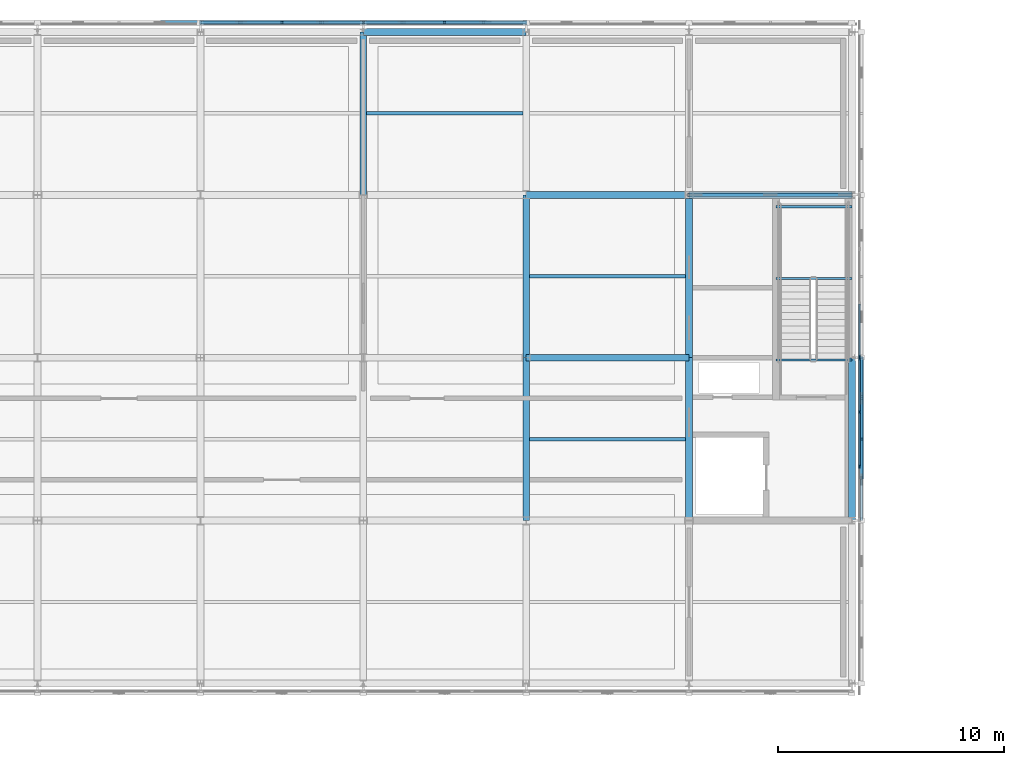
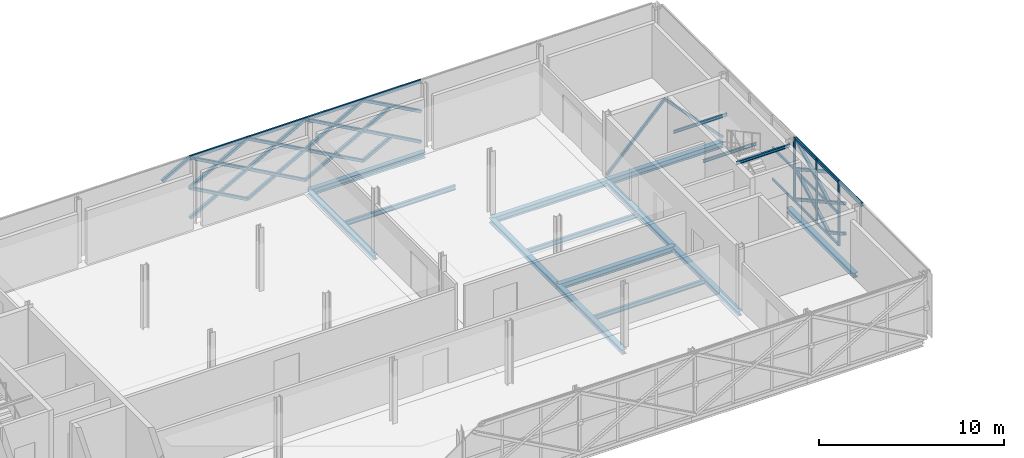
# One storey, part 56 of 103: 48 members, 16 beams, 2 elements without a shape of their own.
"""IFC4 building model written with IfcOpenShell, lengths in metres."""

from ifc_helpers import new_model, si_unit, direction, frame, origin, origin_2d, place, context, subcontext, project, spatial, rectangle, hollow_rectangle, i_section, extrude, material, material_profile, profile_set, type_object, element, aggregate, save


model = new_model("IFC4")

# Units and contexts
model_context = context("Model", 3, precision=1e-05, world=origin(), true_north=direction((0.0, 1.0)))
body_context = subcontext(model_context, "Body", "Model", "MODEL_VIEW")
ifc_project = project(units=[si_unit("LENGTHUNIT", "METRE"), si_unit("AREAUNIT", "SQUARE_METRE"), si_unit("VOLUMEUNIT", "CUBIC_METRE"), si_unit("PLANEANGLEUNIT", "RADIAN"), si_unit("MASSUNIT", "GRAM", prefix="KILO")], contexts=[model_context])

# Site, building, storey
site_placement = place(None, origin())
site = spatial("IfcSite", under=ifc_project, at=site_placement, CompositionType="ELEMENT")
building_placement = place(site_placement, origin())
building = spatial("IfcBuilding", under=site, at=building_placement, Name="Zlatovets Crest Museum", CompositionType="ELEMENT")
storey_placement = place(building_placement, frame((0.0, 0.0, 12.89990234375)))
storey = spatial("IfcBuildingStorey", under=building, at=storey_placement, Name="L03", CompositionType="ELEMENT", Elevation=12.89990234375)

# Beams
ifc_material_1 = material(Name="Structural steel S355J2", Category="steel")
ifc_material_profile_1 = material_profile(ifc_material_1, i_section(OverallWidth=0.300048828125, OverallDepth=0.389892578125, WebThickness=0.010986328125, FlangeThickness=0.01904296875, FilletRadius=0.027099609375, at=origin_2d()), Name="HEA 400")
ifc_profile_set_1 = profile_set([ifc_material_profile_1], Name="Structural steel S355J2")
beam_type_1 = type_object("IfcBeamType", Name="Beam_B-02", PredefinedType="BEAM", material=ifc_profile_set_1)
for number, where, z_axis, x_axis, name in (
    (1, (93.60009765625, 100.800048828125, -0.434814453125), (1.0, 0.0, 0.0), (0.0, 1.0, 0.0), "V1 L03 Primary Girder B-02"),
    (2, (93.60009765625, 108.0, -0.434814453125), (1.0, 0.0, 0.0), (0.0, 1.0, 0.0), "V1 L03 Primary Girder B-02"),
    (3, (100.800048828125, 108.0, -0.434814453125), (1.0, 0.0, 0.0), (0.0, 1.0, 0.0), "V1 L03 Primary Girder B-02"),
):
    element("IfcBeam", number, at=place(storey_placement, frame(where, z_axis=z_axis, x_axis=x_axis)), inside=storey, type_object=beam_type_1, Name=name, PredefinedType="BEAM", context=body_context, shape_type="SweptSolid", body=[
        extrude(i_section(OverallWidth=0.300048828125, OverallDepth=0.389892578125, WebThickness=0.010986328125, FlangeThickness=0.01904296875, FilletRadius=0.027099609375, at=origin_2d()), origin(), (0.0, 0.0, 1.0), 7.199951171875),
    ])
beam_placement = place(storey_placement, frame((86.39990234375, 115.199951171875, -0.434814453125), z_axis=(1.0, 0.0, 0.0), x_axis=(0.0, 1.0, 0.0)))
element("IfcBeam", 4, at=beam_placement, inside=storey, type_object=beam_type_1, Name="V1 L03 Primary Girder B-02", PredefinedType="BEAM", context=body_context, shape_type="SweptSolid", body=[
    extrude(i_section(OverallWidth=0.300048828125, OverallDepth=0.389892578125, WebThickness=0.010986328125, FlangeThickness=0.01904296875, FilletRadius=0.027099609375, at=origin_2d()), origin(), (0.0, 0.0, 1.0), 7.2001953125),
])
ifc_material_profile_2 = material_profile(ifc_material_1, i_section(OverallWidth=0.300048828125, OverallDepth=0.31005859375, WebThickness=0.009033203125, FlangeThickness=0.015380859375, FilletRadius=0.027099609375, at=origin_2d()), Name="HEA 320")
ifc_profile_set_2 = profile_set([ifc_material_profile_2], Name="Structural steel S355J2")
beam_type_2 = type_object("IfcBeamType", Name="Beam_B-04", PredefinedType="BEAM", material=ifc_profile_set_2)
for number, where, z_axis, x_axis, name in (
    (5, (86.39990234375, 108.0, -0.39501953125), (0.0, 1.0, 0.0), (-1.0, 0.0, 0.0), "V1 L03 Grid Beam B-04"),
    (6, (93.60009765625, 93.60009765625, -0.39501953125), (0.0, 1.0, 0.0), (-1.0, 0.0, 0.0), "V1 L03 Grid Beam B-04"),
    (7, (93.60009765625, 100.800048828125, -0.39501953125), (0.0, 1.0, 0.0), (-1.0, 0.0, 0.0), "V1 L03 Grid Beam B-04"),
    (8, (100.800048828125, 93.60009765625, -0.39501953125), (0.0, 1.0, 0.0), (-1.0, 0.0, 0.0), "V1 L03 Grid Beam B-04"),
    (9, (100.800048828125, 100.800048828125, -0.39501953125), (0.0, 1.0, 0.0), (-1.0, 0.0, 0.0), "V1 L03 Grid Beam B-04"),
    (10, (108.0, 93.60009765625, -0.39501953125), (0.0, 1.0, 0.0), (-1.0, 0.0, 0.0), "V1 L03 Grid Beam B-04"),
):
    element("IfcBeam", number, at=place(storey_placement, frame(where, z_axis=z_axis, x_axis=x_axis)), inside=storey, type_object=beam_type_2, Name=name, PredefinedType="BEAM", context=body_context, shape_type="SweptSolid", body=[
        extrude(i_section(OverallWidth=0.300048828125, OverallDepth=0.31005859375, WebThickness=0.009033203125, FlangeThickness=0.015380859375, FilletRadius=0.027099609375, at=origin_2d()), origin(), (0.0, 0.0, 1.0), 7.199951171875),
    ])
ifc_material_profile_3 = material_profile(ifc_material_1, i_section(OverallWidth=0.14990234375, OverallDepth=0.300048828125, WebThickness=0.007080078125, FlangeThickness=0.0107421875, FilletRadius=0.014892578125, at=origin_2d()), Name="IPE 300")
ifc_profile_set_3 = profile_set([ifc_material_profile_3], Name="Structural steel S355J2")
beam_type_3 = type_object("IfcBeamType", Name="Beam_J-02", PredefinedType="JOIST", material=ifc_profile_set_3)
for number, where, z_axis, x_axis, name in (
    (11, (86.550048828125, 111.60009765625, -0.389892578125), (1.0, 0.0, 0.0), (0.0, 1.0, 0.0), "V1 L03 Composite Joist J-02"),
    (12, (93.75, 97.199951171875, -0.389892578125), (1.0, 0.0, 0.0), (0.0, 1.0, 0.0), "V1 L03 Composite Joist J-02"),
    (13, (93.75, 104.39990234375, -0.389892578125), (1.0, 0.0, 0.0), (0.0, 1.0, 0.0), "V1 L03 Composite Joist J-02"),
):
    element("IfcBeam", number, at=place(storey_placement, frame(where, z_axis=z_axis, x_axis=x_axis)), inside=storey, type_object=beam_type_3, Name=name, PredefinedType="JOIST", context=body_context, shape_type="SweptSolid", body=[
        extrude(i_section(OverallWidth=0.14990234375, OverallDepth=0.300048828125, WebThickness=0.007080078125, FlangeThickness=0.0107421875, FilletRadius=0.014892578125, at=origin_2d()), origin(), (0.0, 0.0, 1.0), 6.89990234375),
    ])
ifc_material_profile_4 = material_profile(ifc_material_1, i_section(OverallWidth=0.10009765625, OverallDepth=0.199951171875, WebThickness=0.005615234375, FlangeThickness=0.008544921875, FilletRadius=0.011962890625, at=origin_2d()), Name="IPE 200")
ifc_profile_set_4 = profile_set([ifc_material_profile_4], Name="Structural steel S355J2")
beam_type_4 = type_object("IfcBeamType", Name="Beam_PR-02", PredefinedType="LINTEL", material=ifc_profile_set_4)
for number, where, z_axis, x_axis, name in (
    (14, (104.64990234375, 100.699951171875, 3.860107421875), (1.0, 0.0, 0.0), (0.0, 1.0, 0.0), "Core C6 L03 Stair Well Header Beam"),
    (15, (104.64990234375, 104.300048828125, 1.800048828125), (1.0, 0.0, 0.0), (0.0, 1.0, 0.0), "Core C6 L03 Half-Landing Support Beam"),
    (16, (104.64990234375, 107.47998046875, 1.800048828125), (1.0, 0.0, 0.0), (0.0, 1.0, 0.0), "Core C6 L03 Half-Landing Support Beam"),
):
    element("IfcBeam", number, at=place(storey_placement, frame(where, z_axis=z_axis, x_axis=x_axis)), inside=storey, type_object=beam_type_4, Name=name, PredefinedType="LINTEL", context=body_context, shape_type="SweptSolid", body=[
        extrude(i_section(OverallWidth=0.10009765625, OverallDepth=0.199951171875, WebThickness=0.005615234375, FlangeThickness=0.008544921875, FilletRadius=0.011962890625, at=origin_2d()), origin(), (0.0, 0.0, 1.0), 3.35009765625),
    ])

# Curtain wall, members
ifc_material_2 = material(Name="Bronze-anodised aluminium and low-E triple glass", Category="aluminium")
curtain_wall_type_1 = type_object("IfcCurtainWallType", Name="CW_CW-V1-L03-M0", PredefinedType="NOTDEFINED", material=ifc_material_2)
curtain_wall_1_placement = place(storey_placement, origin())
curtain_wall_1 = element("IfcCurtainWall", 17, at=curtain_wall_1_placement, inside=storey, type_object=curtain_wall_type_1, Name="V1 L03 Expressed Core Glazed Facade", PredefinedType="NOTDEFINED")
ifc_material_3 = material(Name="Bronze-anodised aluminium EN AW-6060", Category="aluminium")
ifc_material_profile_5 = material_profile(ifc_material_3, rectangle(XDim=0.080078125, YDim=0.159912109375, at=origin_2d()), Name="ALU 80x160")
ifc_profile_set_5 = profile_set([ifc_material_profile_5], Name="Bronze-anodised aluminium EN AW-6060")
member_type_1 = type_object("IfcMemberType", Name="CWMull_M1", PredefinedType="MULLION", material=ifc_profile_set_5)
member_1_placement = place(storey_placement, frame((108.340087890625, 96.0, 0.0), z_axis=(0.0, 0.0, 1.0), x_axis=(-1.0, 0.0, 0.0)))
member_1 = element("IfcMember", 18, at=member_1_placement, type_object=member_type_1, Name="CW-V1-L03-M0 mullion 2", PredefinedType="MULLION", context=body_context, shape_type="SweptSolid", body=[
    extrude(rectangle(XDim=0.080078125, YDim=0.159912109375, at=origin_2d()), origin(), (0.0, 0.0, 1.0), 4.2001953125),
])
member_2_placement = place(storey_placement, frame((108.340087890625, 98.39990234375, 0.0), z_axis=(0.0, 0.0, 1.0), x_axis=(-1.0, 0.0, 0.0)))
member_2 = element("IfcMember", 19, at=member_2_placement, type_object=member_type_1, Name="CW-V1-L03-M0 mullion 3", PredefinedType="MULLION", context=body_context, shape_type="SweptSolid", body=[
    extrude(rectangle(XDim=0.080078125, YDim=0.159912109375, at=origin_2d()), origin(), (0.0, 0.0, 1.0), 4.2001953125),
])
member_3_placement = place(storey_placement, frame((108.340087890625, 100.77001953125, 0.0), z_axis=(0.0, 0.0, 1.0), x_axis=(-1.0, 0.0, 0.0)))
member_3 = element("IfcMember", 20, at=member_3_placement, type_object=member_type_1, Name="CW-V1-L03-M0 mullion 4", PredefinedType="MULLION", context=body_context, shape_type="SweptSolid", body=[
    extrude(rectangle(XDim=0.080078125, YDim=0.159912109375, at=origin_2d()), origin(), (0.0, 0.0, 1.0), 4.2001953125),
])

# Curtain wall, member
curtain_wall_type_2 = type_object("IfcCurtainWallType", Name="CW_CW-V1-L03-M1", PredefinedType="NOTDEFINED", material=ifc_material_2)
curtain_wall_2_placement = place(storey_placement, origin())
curtain_wall_2 = element("IfcCurtainWall", 21, at=curtain_wall_2_placement, inside=storey, type_object=curtain_wall_type_2, Name="V1 L03 Expressed Core Glazed Facade", PredefinedType="NOTDEFINED")
member_4_placement = place(storey_placement, frame((108.340087890625, 100.830078125, 0.0), z_axis=(0.0, 0.0, 1.0), x_axis=(-1.0, 0.0, 0.0)))
member_4 = element("IfcMember", 22, at=member_4_placement, type_object=member_type_1, Name="CW-V1-L03-M1 mullion 1", PredefinedType="MULLION", context=body_context, shape_type="SweptSolid", body=[
    extrude(rectangle(XDim=0.080078125, YDim=0.159912109375, at=origin_2d()), origin(), (0.0, 0.0, 1.0), 4.2001953125),
])

# Member
ifc_material_profile_6 = material_profile(ifc_material_3, rectangle(XDim=0.080078125, YDim=0.159912109375, at=origin_2d()), Name="ALU 80x160")
ifc_profile_set_6 = profile_set([ifc_material_profile_6], Name="Bronze-anodised aluminium EN AW-6060")
member_type_2 = type_object("IfcMemberType", Name="CWTrans_T1", PredefinedType="USERDEFINED", material=ifc_profile_set_6)
member_5_placement = place(storey_placement, frame((108.340087890625, 96.030029296875, 0.030029296875), z_axis=(0.0, 1.0, 0.0), x_axis=(-1.0, 0.0, 0.0)))
member_5 = element("IfcMember", 23, at=member_5_placement, type_object=member_type_2, Name="CW-V1-L03-M0 transom 2.1", ObjectType="TRANSOM", PredefinedType="USERDEFINED", context=body_context, shape_type="SweptSolid", body=[
    extrude(rectangle(XDim=0.080078125, YDim=0.159912109375, at=origin_2d()), origin(), (0.0, 0.0, 1.0), 2.340087890625),
])

member_6_placement = place(storey_placement, frame((108.340087890625, 96.030029296875, 2.10009765625), z_axis=(0.0, 1.0, 0.0), x_axis=(-1.0, 0.0, 0.0)))
member_6 = element("IfcMember", 24, at=member_6_placement, type_object=member_type_2, Name="CW-V1-L03-M0 transom 2.2", ObjectType="TRANSOM", PredefinedType="USERDEFINED", context=body_context, shape_type="SweptSolid", body=[
    extrude(rectangle(XDim=0.080078125, YDim=0.159912109375, at=origin_2d()), origin(), (0.0, 0.0, 1.0), 2.340087890625),
])

member_7_placement = place(storey_placement, frame((108.340087890625, 96.030029296875, 4.170166015625), z_axis=(0.0, 1.0, 0.0), x_axis=(-1.0, 0.0, 0.0)))
member_7 = element("IfcMember", 25, at=member_7_placement, type_object=member_type_2, Name="CW-V1-L03-M0 transom 2.3", ObjectType="TRANSOM", PredefinedType="USERDEFINED", context=body_context, shape_type="SweptSolid", body=[
    extrude(rectangle(XDim=0.080078125, YDim=0.159912109375, at=origin_2d()), origin(), (0.0, 0.0, 1.0), 2.340087890625),
])

member_8_placement = place(storey_placement, frame((108.340087890625, 98.429931640625, 0.030029296875), z_axis=(0.0, 1.0, 0.0), x_axis=(-1.0, 0.0, 0.0)))
member_8 = element("IfcMember", 26, at=member_8_placement, type_object=member_type_2, Name="CW-V1-L03-M0 transom 3.1", ObjectType="TRANSOM", PredefinedType="USERDEFINED", context=body_context, shape_type="SweptSolid", body=[
    extrude(rectangle(XDim=0.080078125, YDim=0.159912109375, at=origin_2d()), origin(), (0.0, 0.0, 1.0), 2.31005859375),
])

member_9_placement = place(storey_placement, frame((108.340087890625, 98.429931640625, 2.10009765625), z_axis=(0.0, 1.0, 0.0), x_axis=(-1.0, 0.0, 0.0)))
member_9 = element("IfcMember", 27, at=member_9_placement, type_object=member_type_2, Name="CW-V1-L03-M0 transom 3.2", ObjectType="TRANSOM", PredefinedType="USERDEFINED", context=body_context, shape_type="SweptSolid", body=[
    extrude(rectangle(XDim=0.080078125, YDim=0.159912109375, at=origin_2d()), origin(), (0.0, 0.0, 1.0), 2.31005859375),
])

member_10_placement = place(storey_placement, frame((108.340087890625, 98.429931640625, 4.170166015625), z_axis=(0.0, 1.0, 0.0), x_axis=(-1.0, 0.0, 0.0)))
member_10 = element("IfcMember", 28, at=member_10_placement, type_object=member_type_2, Name="CW-V1-L03-M0 transom 3.3", ObjectType="TRANSOM", PredefinedType="USERDEFINED", context=body_context, shape_type="SweptSolid", body=[
    extrude(rectangle(XDim=0.080078125, YDim=0.159912109375, at=origin_2d()), origin(), (0.0, 0.0, 1.0), 2.31005859375),
])

aggregate(curtain_wall_1, [member_1, member_2, member_3, member_5, member_6, member_7, member_8, member_9, member_10])

member_11_placement = place(storey_placement, frame((108.340087890625, 100.860107421875, 0.030029296875), z_axis=(0.0, 1.0, 0.0), x_axis=(-1.0, 0.0, 0.0)))
member_11 = element("IfcMember", 29, at=member_11_placement, type_object=member_type_2, Name="CW-V1-L03-M1 transom 1.1", ObjectType="TRANSOM", PredefinedType="USERDEFINED", context=body_context, shape_type="SweptSolid", body=[
    extrude(rectangle(XDim=0.080078125, YDim=0.159912109375, at=origin_2d()), origin(), (0.0, 0.0, 1.0), 2.309814453125),
])

member_12_placement = place(storey_placement, frame((108.340087890625, 100.860107421875, 2.10009765625), z_axis=(0.0, 1.0, 0.0), x_axis=(-1.0, 0.0, 0.0)))
member_12 = element("IfcMember", 30, at=member_12_placement, type_object=member_type_2, Name="CW-V1-L03-M1 transom 1.2", ObjectType="TRANSOM", PredefinedType="USERDEFINED", context=body_context, shape_type="SweptSolid", body=[
    extrude(rectangle(XDim=0.080078125, YDim=0.159912109375, at=origin_2d()), origin(), (0.0, 0.0, 1.0), 2.309814453125),
])

aggregate(curtain_wall_2, [member_4, member_11, member_12])

# Members
ifc_material_4 = material(Name="Weathering bronze-steel S355J2W", Category="steel")
ifc_material_profile_7 = material_profile(ifc_material_4, hollow_rectangle(XDim=0.179931640625, YDim=0.179931640625, WallThickness=0.010009765625, InnerFilletRadius=0.010009765625, OuterFilletRadius=0.02001953125, at=origin_2d()), Name="SHS 180x180x10.0")
ifc_profile_set_7 = profile_set([ifc_material_profile_7], Name="Weathering bronze-steel S355J2W")
member_type_3 = type_object("IfcMemberType", Name="Lattice_XL-01", PredefinedType="BRACE", material=ifc_profile_set_7)
member_13_placement = place(storey_placement, frame((108.419921875, 95.48291015625, 1.053955078125), z_axis=(0.0, 0.874169001841, -0.485621824284), x_axis=(-1.0, 0.0, 0.0)))
element("IfcMember", 31, at=member_13_placement, inside=storey, type_object=member_type_3, Name="Split Crossing Bronze Lattice Diagonal Lower", PredefinedType="BRACE", context=body_context, shape_type="SweptSolid", body=[
    extrude(hollow_rectangle(XDim=0.179931640625, YDim=0.179931640625, WallThickness=0.010009765625, InnerFilletRadius=0.010009765625, OuterFilletRadius=0.02001953125, at=origin_2d()), origin(), (0.0, 0.0, 1.0), 1.964111328125),
])
member_14_placement = place(storey_placement, frame((108.419921875, 97.199951171875, 0.10009765625), z_axis=(0.0, 0.874162868644, 0.485632864501), x_axis=(-1.0, 0.0, 0.0)))
element("IfcMember", 32, at=member_14_placement, inside=storey, type_object=member_type_3, Name="Continuous Bronze Lattice Diagonal", PredefinedType="BRACE", context=body_context, shape_type="SweptSolid", body=[
    extrude(hollow_rectangle(XDim=0.179931640625, YDim=0.179931640625, WallThickness=0.010009765625, InnerFilletRadius=0.010009765625, OuterFilletRadius=0.02001953125, at=origin_2d()), origin(), (0.0, 0.0, 1.0), 4.118408203125),
])
for number, where, z_axis, x_axis, name in (
    (33, (108.419921875, 97.199951171875, 2.10009765625), (0.0, 0.874169001841, -0.485621824284), (-1.0, 0.0, 0.0), "Split Crossing Bronze Lattice Diagonal Upper"),
    (34, (108.419921875, 99.0830078125, 1.053955078125), (0.0, 0.874169001841, -0.485621824284), (-1.0, 0.0, 0.0), "Split Crossing Bronze Lattice Diagonal Lower"),
    (35, (108.419921875, 95.48291015625, 3.053955078125), (0.0, 0.874169001841, -0.485621824284), (-1.0, 0.0, 0.0), "Split Crossing Bronze Lattice Diagonal Lower"),
):
    element("IfcMember", number, at=place(storey_placement, frame(where, z_axis=z_axis, x_axis=x_axis)), inside=storey, type_object=member_type_3, Name=name, PredefinedType="BRACE", context=body_context, shape_type="SweptSolid", body=[
        extrude(hollow_rectangle(XDim=0.179931640625, YDim=0.179931640625, WallThickness=0.010009765625, InnerFilletRadius=0.010009765625, OuterFilletRadius=0.02001953125, at=origin_2d()), origin(), (0.0, 0.0, 1.0), 1.964111328125),
    ])
member_15_placement = place(storey_placement, frame((108.419921875, 97.199951171875, 2.10009765625), z_axis=(0.0, 0.874162868644, 0.485632864501), x_axis=(-1.0, 0.0, 0.0)))
element("IfcMember", 36, at=member_15_placement, inside=storey, type_object=member_type_3, Name="Continuous Bronze Lattice Diagonal", PredefinedType="BRACE", context=body_context, shape_type="SweptSolid", body=[
    extrude(hollow_rectangle(XDim=0.179931640625, YDim=0.179931640625, WallThickness=0.010009765625, InnerFilletRadius=0.010009765625, OuterFilletRadius=0.02001953125, at=origin_2d()), origin(), (0.0, 0.0, 1.0), 4.118408203125),
])
for number, where, z_axis, x_axis, name in (
    (37, (108.419921875, 97.199951171875, 4.10009765625), (0.0, 0.874169001841, -0.485621824284), (-1.0, 0.0, 0.0), "Split Crossing Bronze Lattice Diagonal Upper"),
    (38, (108.419921875, 99.0830078125, 3.053955078125), (0.0, 0.874169001841, -0.485621824284), (-1.0, 0.0, 0.0), "Split Crossing Bronze Lattice Diagonal Lower"),
):
    element("IfcMember", number, at=place(storey_placement, frame(where, z_axis=z_axis, x_axis=x_axis)), inside=storey, type_object=member_type_3, Name=name, PredefinedType="BRACE", context=body_context, shape_type="SweptSolid", body=[
        extrude(hollow_rectangle(XDim=0.179931640625, YDim=0.179931640625, WallThickness=0.010009765625, InnerFilletRadius=0.010009765625, OuterFilletRadius=0.02001953125, at=origin_2d()), origin(), (0.0, 0.0, 1.0), 1.964111328125),
    ])
member_16_placement = place(storey_placement, frame((93.60009765625, 115.6201171875, 0.10009765625), z_axis=(-0.874162868644, 0.0, 0.485632864501), x_axis=(0.0, -1.0, 0.0)))
element("IfcMember", 39, at=member_16_placement, inside=storey, type_object=member_type_3, Name="Continuous Bronze Lattice Diagonal", PredefinedType="BRACE", context=body_context, shape_type="SweptSolid", body=[
    extrude(hollow_rectangle(XDim=0.179931640625, YDim=0.179931640625, WallThickness=0.010009765625, InnerFilletRadius=0.010009765625, OuterFilletRadius=0.02001953125, at=origin_2d()), origin(), (0.0, 0.0, 1.0), 4.118408203125),
])
member_17_placement = place(storey_placement, frame((91.717041015625, 115.6201171875, 1.053955078125), z_axis=(-0.874169001841, 0.0, -0.485621824284), x_axis=(0.0, -1.0, 0.0)))
element("IfcMember", 40, at=member_17_placement, inside=storey, type_object=member_type_3, Name="Split Crossing Bronze Lattice Diagonal Lower", PredefinedType="BRACE", context=body_context, shape_type="SweptSolid", body=[
    extrude(hollow_rectangle(XDim=0.179931640625, YDim=0.179931640625, WallThickness=0.010009765625, InnerFilletRadius=0.010009765625, OuterFilletRadius=0.02001953125, at=origin_2d()), origin(), (0.0, 0.0, 1.0), 1.964111328125),
])
member_18_placement = place(storey_placement, frame((90.0, 115.6201171875, 0.10009765625), z_axis=(-0.874162868644, 0.0, 0.485632864501), x_axis=(0.0, -1.0, 0.0)))
element("IfcMember", 41, at=member_18_placement, inside=storey, type_object=member_type_3, Name="Continuous Bronze Lattice Diagonal", PredefinedType="BRACE", context=body_context, shape_type="SweptSolid", body=[
    extrude(hollow_rectangle(XDim=0.179931640625, YDim=0.179931640625, WallThickness=0.010009765625, InnerFilletRadius=0.010009765625, OuterFilletRadius=0.02001953125, at=origin_2d()), origin(), (0.0, 0.0, 1.0), 4.118408203125),
])
for number, where, z_axis, x_axis, name in (
    (42, (90.0, 115.6201171875, 2.10009765625), (-0.874169001841, 0.0, -0.485621824284), (0.0, -1.0, 0.0), "Split Crossing Bronze Lattice Diagonal Upper"),
    (43, (88.116943359375, 115.6201171875, 1.053955078125), (-0.874169001841, 0.0, -0.485621824284), (0.0, -1.0, 0.0), "Split Crossing Bronze Lattice Diagonal Lower"),
):
    element("IfcMember", number, at=place(storey_placement, frame(where, z_axis=z_axis, x_axis=x_axis)), inside=storey, type_object=member_type_3, Name=name, PredefinedType="BRACE", context=body_context, shape_type="SweptSolid", body=[
        extrude(hollow_rectangle(XDim=0.179931640625, YDim=0.179931640625, WallThickness=0.010009765625, InnerFilletRadius=0.010009765625, OuterFilletRadius=0.02001953125, at=origin_2d()), origin(), (0.0, 0.0, 1.0), 1.964111328125),
    ])
member_19_placement = place(storey_placement, frame((93.60009765625, 115.6201171875, 2.10009765625), z_axis=(-0.874162868644, 0.0, 0.485632864501), x_axis=(0.0, -1.0, 0.0)))
element("IfcMember", 44, at=member_19_placement, inside=storey, type_object=member_type_3, Name="Continuous Bronze Lattice Diagonal", PredefinedType="BRACE", context=body_context, shape_type="SweptSolid", body=[
    extrude(hollow_rectangle(XDim=0.179931640625, YDim=0.179931640625, WallThickness=0.010009765625, InnerFilletRadius=0.010009765625, OuterFilletRadius=0.02001953125, at=origin_2d()), origin(), (0.0, 0.0, 1.0), 4.118408203125),
])
member_20_placement = place(storey_placement, frame((91.717041015625, 115.6201171875, 3.053955078125), z_axis=(-0.874169001841, 0.0, -0.485621824284), x_axis=(0.0, -1.0, 0.0)))
element("IfcMember", 45, at=member_20_placement, inside=storey, type_object=member_type_3, Name="Split Crossing Bronze Lattice Diagonal Lower", PredefinedType="BRACE", context=body_context, shape_type="SweptSolid", body=[
    extrude(hollow_rectangle(XDim=0.179931640625, YDim=0.179931640625, WallThickness=0.010009765625, InnerFilletRadius=0.010009765625, OuterFilletRadius=0.02001953125, at=origin_2d()), origin(), (0.0, 0.0, 1.0), 1.964111328125),
])
member_21_placement = place(storey_placement, frame((90.0, 115.6201171875, 2.10009765625), z_axis=(-0.874162868644, 0.0, 0.485632864501), x_axis=(0.0, -1.0, 0.0)))
element("IfcMember", 46, at=member_21_placement, inside=storey, type_object=member_type_3, Name="Continuous Bronze Lattice Diagonal", PredefinedType="BRACE", context=body_context, shape_type="SweptSolid", body=[
    extrude(hollow_rectangle(XDim=0.179931640625, YDim=0.179931640625, WallThickness=0.010009765625, InnerFilletRadius=0.010009765625, OuterFilletRadius=0.02001953125, at=origin_2d()), origin(), (0.0, 0.0, 1.0), 4.118408203125),
])
for number, where, z_axis, x_axis, name in (
    (47, (90.0, 115.6201171875, 4.10009765625), (-0.874169001841, 0.0, -0.485621824284), (0.0, -1.0, 0.0), "Split Crossing Bronze Lattice Diagonal Upper"),
    (48, (88.116943359375, 115.6201171875, 3.053955078125), (-0.874169001841, 0.0, -0.485621824284), (0.0, -1.0, 0.0), "Split Crossing Bronze Lattice Diagonal Lower"),
):
    element("IfcMember", number, at=place(storey_placement, frame(where, z_axis=z_axis, x_axis=x_axis)), inside=storey, type_object=member_type_3, Name=name, PredefinedType="BRACE", context=body_context, shape_type="SweptSolid", body=[
        extrude(hollow_rectangle(XDim=0.179931640625, YDim=0.179931640625, WallThickness=0.010009765625, InnerFilletRadius=0.010009765625, OuterFilletRadius=0.02001953125, at=origin_2d()), origin(), (0.0, 0.0, 1.0), 1.964111328125),
    ])
member_22_placement = place(storey_placement, frame((86.39990234375, 115.6201171875, 0.10009765625), z_axis=(-0.874148886685, 0.0, 0.485658031857), x_axis=(0.0, -1.0, 0.0)))
element("IfcMember", 49, at=member_22_placement, inside=storey, type_object=member_type_3, Name="Continuous Bronze Lattice Diagonal", PredefinedType="BRACE", context=body_context, shape_type="SweptSolid", body=[
    extrude(hollow_rectangle(XDim=0.179931640625, YDim=0.179931640625, WallThickness=0.010009765625, InnerFilletRadius=0.010009765625, OuterFilletRadius=0.02001953125, at=origin_2d()), origin(), (0.0, 0.0, 1.0), 4.1181640625),
])
member_23_placement = place(storey_placement, frame((86.39990234375, 115.6201171875, 2.10009765625), z_axis=(-0.874139684676, 0.0, -0.48567459443), x_axis=(0.0, -1.0, 0.0)))
element("IfcMember", 50, at=member_23_placement, inside=storey, type_object=member_type_3, Name="Split Crossing Bronze Lattice Diagonal Upper", PredefinedType="BRACE", context=body_context, shape_type="SweptSolid", body=[
    extrude(hollow_rectangle(XDim=0.179931640625, YDim=0.179931640625, WallThickness=0.010009765625, InnerFilletRadius=0.010009765625, OuterFilletRadius=0.02001953125, at=origin_2d()), origin(), (0.0, 0.0, 1.0), 1.9638671875),
])
member_24_placement = place(storey_placement, frame((84.51708984375, 115.6201171875, 1.053955078125), z_axis=(-0.874169001841, 0.0, -0.485621824284), x_axis=(0.0, -1.0, 0.0)))
element("IfcMember", 51, at=member_24_placement, inside=storey, type_object=member_type_3, Name="Split Crossing Bronze Lattice Diagonal Lower", PredefinedType="BRACE", context=body_context, shape_type="SweptSolid", body=[
    extrude(hollow_rectangle(XDim=0.179931640625, YDim=0.179931640625, WallThickness=0.010009765625, InnerFilletRadius=0.010009765625, OuterFilletRadius=0.02001953125, at=origin_2d()), origin(), (0.0, 0.0, 1.0), 1.964111328125),
])
member_25_placement = place(storey_placement, frame((82.800048828125, 115.6201171875, 0.10009765625), z_axis=(-0.874162868644, 0.0, 0.485632864501), x_axis=(0.0, -1.0, 0.0)))
element("IfcMember", 52, at=member_25_placement, inside=storey, type_object=member_type_3, Name="Continuous Bronze Lattice Diagonal", PredefinedType="BRACE", context=body_context, shape_type="SweptSolid", body=[
    extrude(hollow_rectangle(XDim=0.179931640625, YDim=0.179931640625, WallThickness=0.010009765625, InnerFilletRadius=0.010009765625, OuterFilletRadius=0.02001953125, at=origin_2d()), origin(), (0.0, 0.0, 1.0), 4.118408203125),
])
for number, where, z_axis, x_axis, name in (
    (53, (82.800048828125, 115.6201171875, 2.10009765625), (-0.874169001841, 0.0, -0.485621824284), (0.0, -1.0, 0.0), "Split Crossing Bronze Lattice Diagonal Upper"),
    (54, (80.9169921875, 115.6201171875, 1.053955078125), (-0.874169001841, 0.0, -0.485621824284), (0.0, -1.0, 0.0), "Split Crossing Bronze Lattice Diagonal Lower"),
):
    element("IfcMember", number, at=place(storey_placement, frame(where, z_axis=z_axis, x_axis=x_axis)), inside=storey, type_object=member_type_3, Name=name, PredefinedType="BRACE", context=body_context, shape_type="SweptSolid", body=[
        extrude(hollow_rectangle(XDim=0.179931640625, YDim=0.179931640625, WallThickness=0.010009765625, InnerFilletRadius=0.010009765625, OuterFilletRadius=0.02001953125, at=origin_2d()), origin(), (0.0, 0.0, 1.0), 1.964111328125),
    ])
member_26_placement = place(storey_placement, frame((86.39990234375, 115.6201171875, 2.10009765625), z_axis=(-0.874148886685, 0.0, 0.485658031857), x_axis=(0.0, -1.0, 0.0)))
element("IfcMember", 55, at=member_26_placement, inside=storey, type_object=member_type_3, Name="Continuous Bronze Lattice Diagonal", PredefinedType="BRACE", context=body_context, shape_type="SweptSolid", body=[
    extrude(hollow_rectangle(XDim=0.179931640625, YDim=0.179931640625, WallThickness=0.010009765625, InnerFilletRadius=0.010009765625, OuterFilletRadius=0.02001953125, at=origin_2d()), origin(), (0.0, 0.0, 1.0), 4.1181640625),
])
member_27_placement = place(storey_placement, frame((86.39990234375, 115.6201171875, 4.10009765625), z_axis=(-0.874139684676, 0.0, -0.48567459443), x_axis=(0.0, -1.0, 0.0)))
element("IfcMember", 56, at=member_27_placement, inside=storey, type_object=member_type_3, Name="Split Crossing Bronze Lattice Diagonal Upper", PredefinedType="BRACE", context=body_context, shape_type="SweptSolid", body=[
    extrude(hollow_rectangle(XDim=0.179931640625, YDim=0.179931640625, WallThickness=0.010009765625, InnerFilletRadius=0.010009765625, OuterFilletRadius=0.02001953125, at=origin_2d()), origin(), (0.0, 0.0, 1.0), 1.9638671875),
])
member_28_placement = place(storey_placement, frame((84.51708984375, 115.6201171875, 3.053955078125), z_axis=(-0.874169001841, 0.0, -0.485621824284), x_axis=(0.0, -1.0, 0.0)))
element("IfcMember", 57, at=member_28_placement, inside=storey, type_object=member_type_3, Name="Split Crossing Bronze Lattice Diagonal Lower", PredefinedType="BRACE", context=body_context, shape_type="SweptSolid", body=[
    extrude(hollow_rectangle(XDim=0.179931640625, YDim=0.179931640625, WallThickness=0.010009765625, InnerFilletRadius=0.010009765625, OuterFilletRadius=0.02001953125, at=origin_2d()), origin(), (0.0, 0.0, 1.0), 1.964111328125),
])
member_29_placement = place(storey_placement, frame((82.800048828125, 115.6201171875, 2.10009765625), z_axis=(-0.874162868644, 0.0, 0.485632864501), x_axis=(0.0, -1.0, 0.0)))
element("IfcMember", 58, at=member_29_placement, inside=storey, type_object=member_type_3, Name="Continuous Bronze Lattice Diagonal", PredefinedType="BRACE", context=body_context, shape_type="SweptSolid", body=[
    extrude(hollow_rectangle(XDim=0.179931640625, YDim=0.179931640625, WallThickness=0.010009765625, InnerFilletRadius=0.010009765625, OuterFilletRadius=0.02001953125, at=origin_2d()), origin(), (0.0, 0.0, 1.0), 4.118408203125),
])
for number, where, z_axis, x_axis, name in (
    (59, (82.800048828125, 115.6201171875, 4.10009765625), (-0.874169001841, 0.0, -0.485621824284), (0.0, -1.0, 0.0), "Split Crossing Bronze Lattice Diagonal Upper"),
    (60, (80.9169921875, 115.6201171875, 3.053955078125), (-0.874169001841, 0.0, -0.485621824284), (0.0, -1.0, 0.0), "Split Crossing Bronze Lattice Diagonal Lower"),
    (61, (79.199951171875, 115.6201171875, 4.10009765625), (-0.874169001841, 0.0, -0.485621824284), (0.0, -1.0, 0.0), "Split Crossing Bronze Lattice Diagonal Upper"),
):
    element("IfcMember", number, at=place(storey_placement, frame(where, z_axis=z_axis, x_axis=x_axis)), inside=storey, type_object=member_type_3, Name=name, PredefinedType="BRACE", context=body_context, shape_type="SweptSolid", body=[
        extrude(hollow_rectangle(XDim=0.179931640625, YDim=0.179931640625, WallThickness=0.010009765625, InnerFilletRadius=0.010009765625, OuterFilletRadius=0.02001953125, at=origin_2d()), origin(), (0.0, 0.0, 1.0), 1.964111328125),
    ])
ifc_material_profile_8 = material_profile(ifc_material_4, hollow_rectangle(XDim=0.1201171875, YDim=0.239990234375, WallThickness=0.010009765625, InnerFilletRadius=0.010009765625, OuterFilletRadius=0.02001953125, at=origin_2d()), Name="RHS 120x240x10.0")
ifc_profile_set_8 = profile_set([ifc_material_profile_8], Name="Weathering bronze-steel S355J2W")
member_type_4 = type_object("IfcMemberType", Name="Lattice_XL-04", PredefinedType="CHORD", material=ifc_profile_set_8)
member_30_placement = place(storey_placement, frame((108.419921875, 93.60009765625, 4.10009765625), z_axis=(0.0, 1.0, 0.0), x_axis=(-1.0, 0.0, 0.0)))
element("IfcMember", 62, at=member_30_placement, inside=storey, type_object=member_type_4, Name="Art Nouveau Woven Cage Collector Ring Chord", PredefinedType="CHORD", context=body_context, shape_type="SweptSolid", body=[
    extrude(hollow_rectangle(XDim=0.1201171875, YDim=0.239990234375, WallThickness=0.010009765625, InnerFilletRadius=0.010009765625, OuterFilletRadius=0.02001953125, at=origin_2d()), origin(), (0.0, 0.0, 1.0), 7.199951171875),
])
member_31_placement = place(storey_placement, frame((93.60009765625, 115.6201171875, 4.10009765625), z_axis=(-1.0, 0.0, 0.0), x_axis=(0.0, -1.0, 0.0)))
element("IfcMember", 63, at=member_31_placement, inside=storey, type_object=member_type_4, Name="Art Nouveau Woven Cage Collector Ring Chord", PredefinedType="CHORD", context=body_context, shape_type="SweptSolid", body=[
    extrude(hollow_rectangle(XDim=0.1201171875, YDim=0.239990234375, WallThickness=0.010009765625, InnerFilletRadius=0.010009765625, OuterFilletRadius=0.02001953125, at=origin_2d()), origin(), (0.0, 0.0, 1.0), 7.2001953125),
])
member_32_placement = place(storey_placement, frame((86.39990234375, 115.6201171875, 4.10009765625), z_axis=(-1.0, 0.0, 0.0), x_axis=(0.0, -1.0, 0.0)))
element("IfcMember", 64, at=member_32_placement, inside=storey, type_object=member_type_4, Name="Art Nouveau Woven Cage Collector Ring Chord", PredefinedType="CHORD", context=body_context, shape_type="SweptSolid", body=[
    extrude(hollow_rectangle(XDim=0.1201171875, YDim=0.239990234375, WallThickness=0.010009765625, InnerFilletRadius=0.010009765625, OuterFilletRadius=0.02001953125, at=origin_2d()), origin(), (0.0, 0.0, 1.0), 7.199951171875),
])
ifc_material_profile_9 = material_profile(ifc_material_1, hollow_rectangle(XDim=0.159912109375, YDim=0.159912109375, WallThickness=0.010009765625, InnerFilletRadius=0.010009765625, OuterFilletRadius=0.02001953125, at=origin_2d()), Name="SHS 160x160x10.0")
ifc_profile_set_9 = profile_set([ifc_material_profile_9], Name="Structural steel S355J2")
member_type_5 = type_object("IfcMemberType", Name="Member_BR-03", PredefinedType="BRACE", material=ifc_profile_set_9)
member_33_placement = place(storey_placement, frame((100.800048828125, 108.0, 0.0), z_axis=(0.692517163318, 0.0, 0.721401399021), x_axis=(0.0, 1.0, 0.0)))
element("IfcMember", 65, at=member_33_placement, inside=storey, type_object=member_type_5, Name="V1 L03 Concentric Seismic Brace", PredefinedType="BRACE", context=body_context, shape_type="SweptSolid", body=[
    extrude(hollow_rectangle(XDim=0.159912109375, YDim=0.159912109375, WallThickness=0.010009765625, InnerFilletRadius=0.010009765625, OuterFilletRadius=0.02001953125, at=origin_2d()), origin(), (0.0, 0.0, 1.0), 5.1982421875),
])
member_34_placement = place(storey_placement, frame((108.0, 108.0, 0.0), z_axis=(-0.692541604294, 0.0, 0.721377935844), x_axis=(0.0, -1.0, 0.0)))
element("IfcMember", 66, at=member_34_placement, inside=storey, type_object=member_type_5, Name="V1 L03 Concentric Seismic Brace", PredefinedType="BRACE", context=body_context, shape_type="SweptSolid", body=[
    extrude(hollow_rectangle(XDim=0.159912109375, YDim=0.159912109375, WallThickness=0.010009765625, InnerFilletRadius=0.010009765625, OuterFilletRadius=0.02001953125, at=origin_2d()), origin(), (0.0, 0.0, 1.0), 5.198486328125),
])

save(model, "model.ifc")
